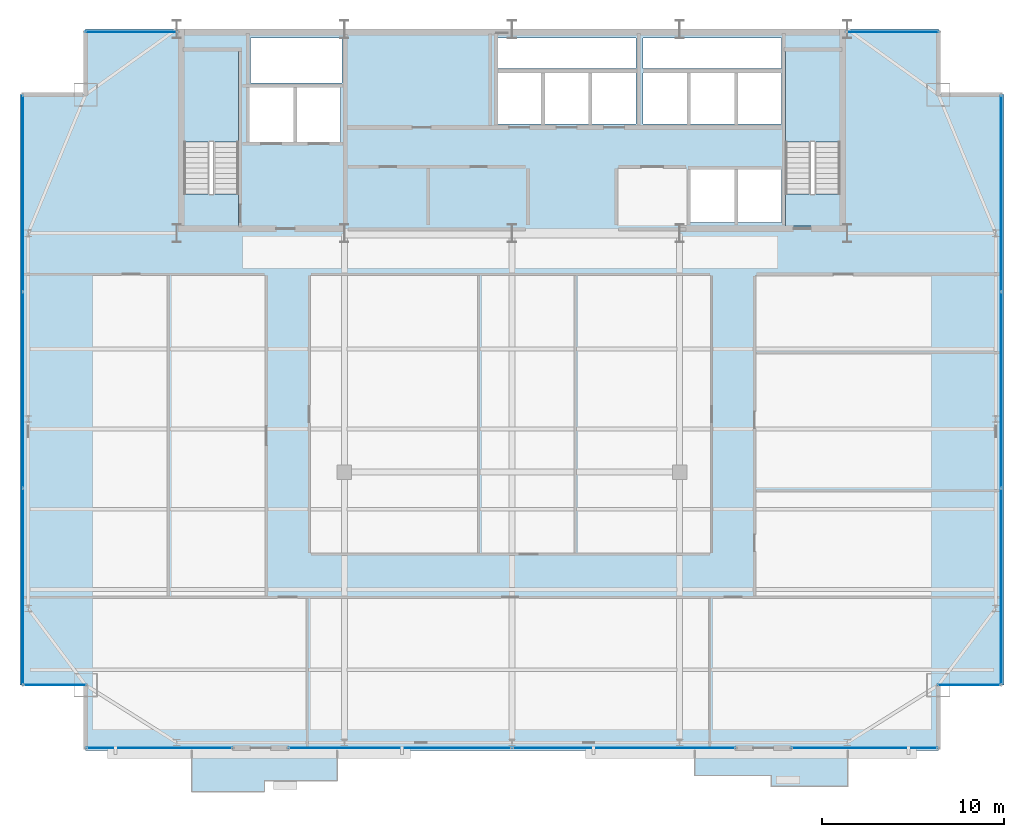
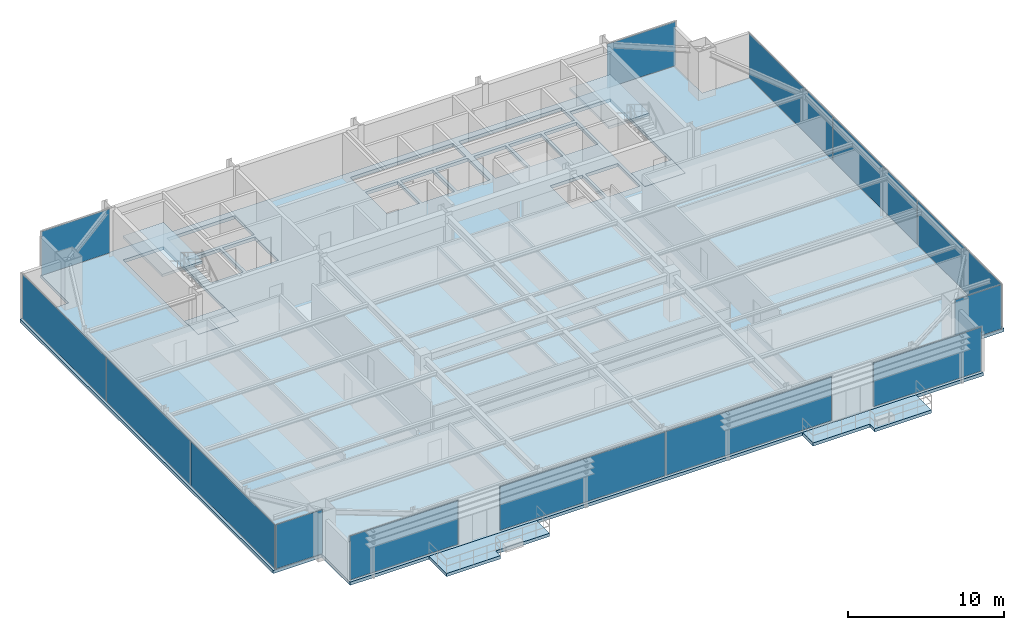
# One storey, part 24 of 31: 14 plates, 7 slabs, 11 elements without a shape of their own.
"""IFC4 building model written with IfcOpenShell, lengths in metres."""

from ifc_helpers import new_model, si_unit, direction, frame, origin, origin_2d, place, context, subcontext, project, spatial, polyline, rectangle, outline, extrude, source, transform, mapped, material, layer, layer_set, type_object, type_shapes, element, aggregate, save


model = new_model("IFC4")

# Units and contexts
model_context = context("Model", 3, precision=1e-05, world=origin(), true_north=direction((0.0, 1.0)))
body_context = subcontext(model_context, "Body", "Model", "MODEL_VIEW")
ifc_project = project(units=[si_unit("LENGTHUNIT", "METRE"), si_unit("AREAUNIT", "SQUARE_METRE"), si_unit("VOLUMEUNIT", "CUBIC_METRE"), si_unit("PLANEANGLEUNIT", "RADIAN"), si_unit("MASSUNIT", "GRAM", prefix="KILO")], contexts=[model_context])

# Site, building, storey
site_placement = place(None, origin())
site = spatial("IfcSite", under=ifc_project, at=site_placement, CompositionType="ELEMENT")
building_placement = place(site_placement, origin())
building = spatial("IfcBuilding", under=site, at=building_placement, Name="Varnel Quay Broadcast Tower", CompositionType="ELEMENT")
storey_placement = place(building_placement, frame((0.0, 0.0, 183.800048828125)))
storey = spatial("IfcBuildingStorey", under=building, at=storey_placement, Name="L45", CompositionType="ELEMENT", Elevation=183.800048828125)

# Slabs
ifc_material_1 = material(Name="Concrete CSA A23.3 C40/50", Category="concrete")
ifc_layer_1 = layer(ifc_material_1, 0.25, Name="Concrete CSA A23.3 C40/50")
ifc_layer_set_1 = layer_set([ifc_layer_1], Name="Concrete CSA A23.3 C40/50")
slab_type_1 = type_object("IfcSlabType", Name="Slab_ExtTerrace250", PredefinedType="FLOOR", material=ifc_layer_set_1)
slab_1_placement = place(storey_placement, frame((0.0, 0.0, -0.25)))
element("IfcSlab", 1, at=slab_1_placement, inside=storey, type_object=slab_type_1, Name="L45 Planted Lobe Terrace Slab 1", PredefinedType="FLOOR", context=body_context, shape_type="SweptSolid", body=[
    extrude(outline(polyline([(16.429931640625, 4.95703125), (20.4150390625, 4.95703125), (20.4150390625, 5.556884765625), (24.39990234375, 5.556884765625), (24.39990234375, 7.199951171875), (16.429931640625, 7.199951171875), (16.429931640625, 4.95703125)])), origin(), (0.0, 0.0, 1.0), 0.25),
])
slab_2_placement = place(storey_placement, frame((0.0, 0.0, -0.25)))
element("IfcSlab", 2, at=slab_2_placement, inside=storey, type_object=slab_type_1, Name="L45 Planted Lobe Terrace Slab 2", PredefinedType="FLOOR", context=body_context, shape_type="SweptSolid", body=[
    extrude(outline(polyline([(44.030029296875, 5.843017578125), (48.22998046875, 5.843017578125), (48.22998046875, 5.242919921875), (52.429931640625, 5.242919921875), (52.429931640625, 7.199951171875), (44.030029296875, 7.199951171875), (44.030029296875, 5.843017578125)])), origin(), (0.0, 0.0, 1.0), 0.25),
])
ifc_material_2 = material(Name="Concrete CSA A23.3 C50/60", Category="concrete")
ifc_layer_2 = layer(ifc_material_2, 0.25, Name="Concrete CSA A23.3 C50/60")
ifc_layer_set_2 = layer_set([ifc_layer_2], Name="Concrete CSA A23.3 C50/60")
slab_type_2 = type_object("IfcSlabType", Name="Slab_Floor250", PredefinedType="FLOOR", material=ifc_layer_set_2)
slab_3_placement = place(storey_placement, frame((0.0, 0.0, -0.25)))
element("IfcSlab", 3, at=slab_3_placement, inside=storey, type_object=slab_type_2, Name="L45 Structural Slab", PredefinedType="FLOOR", context=body_context, shape_type="SweptSolid", body=[
    extrude(outline(polyline([(10.60009765625, 7.199951171875), (57.39990234375, 7.199951171875), (57.39990234375, 10.800048828125), (61.0, 10.800048828125), (61.0, 43.199951171875), (57.39990234375, 43.199951171875), (57.39990234375, 46.800048828125), (10.60009765625, 46.800048828125), (10.60009765625, 43.199951171875), (7.0, 43.199951171875), (7.0, 10.800048828125), (10.60009765625, 10.800048828125), (10.60009765625, 7.199951171875)]), holes=[polyline([(19.0, 36.0), (16.0, 36.0), (16.0, 45.60009765625), (19.0, 45.60009765625), (19.0, 36.0)]), polyline([(19.60009765625, 43.60009765625), (22.0, 43.60009765625), (22.0, 40.60009765625), (19.60009765625, 40.60009765625), (19.60009765625, 43.60009765625)]), polyline([(22.199951171875, 43.60009765625), (24.60009765625, 43.60009765625), (24.60009765625, 40.60009765625), (22.199951171875, 40.60009765625), (22.199951171875, 43.60009765625)]), polyline([(33.199951171875, 44.39990234375), (35.60009765625, 44.39990234375), (35.60009765625, 41.60009765625), (33.199951171875, 41.60009765625), (33.199951171875, 44.39990234375)]), polyline([(35.800048828125, 44.39990234375), (38.199951171875, 44.39990234375), (38.199951171875, 41.60009765625), (35.800048828125, 41.60009765625), (35.800048828125, 44.39990234375)]), polyline([(38.39990234375, 44.39990234375), (40.800048828125, 44.39990234375), (40.800048828125, 41.60009765625), (38.39990234375, 41.60009765625), (38.39990234375, 44.39990234375)]), polyline([(19.64990234375, 46.300048828125), (24.679931640625, 46.300048828125), (24.679931640625, 43.85009765625), (19.64990234375, 43.85009765625), (19.64990234375, 46.300048828125)]), polyline([(33.199951171875, 46.300048828125), (40.800048828125, 46.300048828125), (40.800048828125, 44.64990234375), (33.199951171875, 44.64990234375), (33.199951171875, 46.300048828125)]), polyline([(43.800048828125, 39.10009765625), (46.199951171875, 39.10009765625), (46.199951171875, 36.199951171875), (43.800048828125, 36.199951171875), (43.800048828125, 39.10009765625)]), polyline([(46.39990234375, 39.10009765625), (48.800048828125, 39.10009765625), (48.800048828125, 36.199951171875), (46.39990234375, 36.199951171875), (46.39990234375, 39.10009765625)]), polyline([(49.0, 36.0), (49.0, 45.60009765625), (52.0, 45.60009765625), (52.0, 36.0), (49.0, 36.0)]), polyline([(41.199951171875, 44.39990234375), (43.60009765625, 44.39990234375), (43.60009765625, 41.60009765625), (41.199951171875, 41.60009765625), (41.199951171875, 44.39990234375)]), polyline([(43.800048828125, 44.39990234375), (46.199951171875, 44.39990234375), (46.199951171875, 41.60009765625), (43.800048828125, 41.60009765625), (43.800048828125, 44.39990234375)]), polyline([(46.39990234375, 44.39990234375), (48.800048828125, 44.39990234375), (48.800048828125, 41.60009765625), (46.39990234375, 41.60009765625), (46.39990234375, 44.39990234375)]), polyline([(41.199951171875, 46.300048828125), (48.800048828125, 46.300048828125), (48.800048828125, 44.64990234375), (41.199951171875, 44.64990234375), (41.199951171875, 46.300048828125)])]), origin(), (0.0, 0.0, 1.0), 0.25),
])
ifc_layer_3 = layer(ifc_material_2, 0.25, Name="Concrete CSA A23.3 C50/60")
ifc_layer_set_3 = layer_set([ifc_layer_3], Name="Concrete CSA A23.3 C50/60")
slab_type_3 = type_object("IfcSlabType", Name="Slab_StairFloorLanding250", PredefinedType="FLOOR", material=ifc_layer_set_3)
slab_4_placement = place(storey_placement, frame((0.0, 0.0, -0.25)))
element("IfcSlab", 4, at=slab_4_placement, inside=storey, type_object=slab_type_3, Name="L45 ST-01 Structural Floor Landing Slab", PredefinedType="FLOOR", context=body_context, shape_type="SweptSolid", body=[
    extrude(outline(polyline([(19.0, 36.0), (19.0, 37.75), (16.0, 37.75), (16.0, 36.0), (19.0, 36.0)])), origin(), (0.0, 0.0, 1.0), 0.25),
])
slab_5_placement = place(storey_placement, frame((0.0, 0.0, -0.25)))
element("IfcSlab", 5, at=slab_5_placement, inside=storey, type_object=slab_type_3, Name="L45 ST-02 Structural Floor Landing Slab", PredefinedType="FLOOR", context=body_context, shape_type="SweptSolid", body=[
    extrude(outline(polyline([(52.0, 36.0), (52.0, 37.75), (49.0, 37.75), (49.0, 36.0), (52.0, 36.0)])), origin(), (0.0, 0.0, 1.0), 0.25),
])

# Stair, slab
ifc_material_3 = material(Name="Precast Structural Concrete C40/50", Category="concrete")
stair_type_1 = type_object("IfcStairType", Name="Stair_ST-01", PredefinedType="HALF_TURN_STAIR", material=ifc_material_3)
stair_1_placement = place(storey_placement, origin())
stair_1 = element("IfcStair", 6, at=stair_1_placement, inside=storey, type_object=stair_type_1, Name="L45 West Core Exit Stair 1", PredefinedType="HALF_TURN_STAIR")
ifc_layer_4 = layer(ifc_material_3, 0.199951171875, Name="Precast Structural Concrete C40/50")
ifc_layer_set_4 = layer_set([ifc_layer_4], Name="Precast Structural Concrete C40/50")
slab_type_4 = type_object("IfcSlabType", Name="Slab_StairLanding200", PredefinedType="LANDING", material=ifc_layer_set_4)
slab_6_placement = place(storey_placement, frame((0.0, 0.0, 1.699951171875)))
slab_6 = element("IfcSlab", 7, at=slab_6_placement, type_object=slab_type_4, Name="ST-01 landing 1", PredefinedType="LANDING", context=body_context, shape_type="SweptSolid", body=[
    extrude(outline(polyline([(19.0, 40.60009765625), (19.0, 45.60009765625), (16.0, 45.60009765625), (16.0, 40.60009765625), (19.0, 40.60009765625)])), origin(), (0.0, 0.0, 1.0), 0.199951171875),
])
aggregate(stair_1, [slab_6])

stair_type_2 = type_object("IfcStairType", Name="Stair_ST-02", PredefinedType="HALF_TURN_STAIR", material=ifc_material_3)
stair_2_placement = place(storey_placement, origin())
stair_2 = element("IfcStair", 8, at=stair_2_placement, inside=storey, type_object=stair_type_2, Name="L45 East Core Exit Stair 2", PredefinedType="HALF_TURN_STAIR")
slab_7_placement = place(storey_placement, frame((0.0, 0.0, 1.699951171875)))
slab_7 = element("IfcSlab", 9, at=slab_7_placement, type_object=slab_type_4, Name="ST-02 landing 1", PredefinedType="LANDING", context=body_context, shape_type="SweptSolid", body=[
    extrude(outline(polyline([(52.0, 40.60009765625), (52.0, 45.60009765625), (49.0, 45.60009765625), (49.0, 40.60009765625), (52.0, 40.60009765625)])), origin(), (0.0, 0.0, 1.0), 0.199951171875),
])
aggregate(stair_2, [slab_7])

# Curtain wall, plate
ifc_material_4 = material(Name="Anodised Bronze Aluminium 6063-T6", Category="aluminium")
ifc_layer_5 = layer(ifc_material_4, 0.18994140625, Name="Anodised Bronze Aluminium 6063-T6")
ifc_layer_set_5 = layer_set([ifc_layer_5], Name="Anodised Bronze Aluminium 6063-T6")
curtain_wall_type_1 = type_object("IfcCurtainWallType", Name="CW_NotchCorner", PredefinedType="NOTDEFINED", material=ifc_layer_set_5)
curtain_wall_1_placement = place(storey_placement, origin())
curtain_wall_1 = element("IfcCurtainWall", 10, at=curtain_wall_1_placement, inside=storey, type_object=curtain_wall_type_1, Name="L45 SW Notch Curtain Wall", PredefinedType="NOTDEFINED")
ifc_material_5 = material(Name="Triple-Glazed Bronze Low-E Architectural Glass", Category="glass")
ifc_layer_6 = layer(ifc_material_5, 0.028076171875, Name="Triple-Glazed Bronze Low-E Architectural Glass")
ifc_layer_set_6 = layer_set([ifc_layer_6], Name="Triple-Glazed Bronze Low-E Architectural Glass")
plate_type_1 = type_object("IfcPlateType", Name="Panel_CWS-04", PredefinedType="CURTAIN_PANEL", material=ifc_layer_set_6)
shared_shape_1 = source(origin(), body_context, "Body", "SweptSolid", [
    extrude(rectangle(XDim=3.409912109375, YDim=0.028076171875, at=origin_2d()), origin(), (0.0, 0.0, 1.0), 3.43994140625),
])
type_shapes(plate_type_1, [shared_shape_1])
plate_1_placement = place(storey_placement, frame((8.9150390625, 10.800048828125, 0.054931640625), z_axis=(0.0, 0.0, 1.0), x_axis=(1.0, 0.0, 0.0)))
plate_1 = element("IfcPlate", 11, at=plate_1_placement, type_object=plate_type_1, Name="CWS-04 panel 1.1", PredefinedType="CURTAIN_PANEL", context=body_context, shape_type="MappedRepresentation", body=[
    mapped(shared_shape_1, transform((0.0, 0.0, 0.0), x_axis=(1.0, 0.0, 0.0), y_axis=(0.0, 1.0, 0.0), z_axis=(0.0, 0.0, 1.0), scale=1.0)),
])
aggregate(curtain_wall_1, [plate_1])

curtain_wall_2_placement = place(storey_placement, origin())
curtain_wall_2 = element("IfcCurtainWall", 12, at=curtain_wall_2_placement, inside=storey, type_object=curtain_wall_type_1, Name="L45 SE Notch Curtain Wall", PredefinedType="NOTDEFINED")
plate_2_placement = place(storey_placement, frame((59.0849609375, 10.800048828125, 0.054931640625), z_axis=(0.0, 0.0, 1.0), x_axis=(1.0, 0.0, 0.0)))
plate_2 = element("IfcPlate", 13, at=plate_2_placement, type_object=plate_type_1, Name="CWS-04 panel 1.1", PredefinedType="CURTAIN_PANEL", context=body_context, shape_type="MappedRepresentation", body=[
    mapped(shared_shape_1, transform((0.0, 0.0, 0.0), x_axis=(1.0, 0.0, 0.0), y_axis=(0.0, 1.0, 0.0), z_axis=(0.0, 0.0, 1.0), scale=1.0)),
])
aggregate(curtain_wall_2, [plate_2])

ifc_layer_7 = layer(ifc_material_4, 0.18994140625, Name="Anodised Bronze Aluminium 6063-T6")
ifc_layer_set_7 = layer_set([ifc_layer_7], Name="Anodised Bronze Aluminium 6063-T6")
curtain_wall_type_2 = type_object("IfcCurtainWallType", Name="CW_UpperTower", PredefinedType="NOTDEFINED", material=ifc_layer_set_7)
curtain_wall_3_placement = place(storey_placement, origin())
curtain_wall_3 = element("IfcCurtainWall", 14, at=curtain_wall_3_placement, inside=storey, type_object=curtain_wall_type_2, Name="L45 West Unitised Curtain Wall", PredefinedType="NOTDEFINED")
ifc_material_6 = material(Name="Insulated Bronze Spandrel Glass", Category="glass")
ifc_layer_8 = layer(ifc_material_6, 0.030029296875, Name="Insulated Bronze Spandrel Glass")
ifc_layer_set_8 = layer_set([ifc_layer_8], Name="Insulated Bronze Spandrel Glass")
plate_type_2 = type_object("IfcPlateType", Name="PanelSp_CWS-03", PredefinedType="CURTAIN_PANEL", material=ifc_layer_set_8)
shared_shape_2 = source(origin(), body_context, "Body", "SweptSolid", [
    extrude(rectangle(XDim=10.702392578125, YDim=0.030029296875, at=origin_2d()), origin(), (0.0, 0.0, 1.0), 3.429931640625),
])
plate_3_placement = place(storey_placement, frame((7.14990234375, 16.21630859375, 0.06005859375), z_axis=(0.0, 0.0, 1.0), x_axis=(0.0, 1.0, 0.0)))
plate_3 = element("IfcPlate", 15, at=plate_3_placement, type_object=plate_type_2, Name="CWS-03 panel 1.1", PredefinedType="CURTAIN_PANEL", context=body_context, shape_type="MappedRepresentation", body=[
    mapped(shared_shape_2, transform((0.0, 0.0, 0.0), x_axis=(1.0, 0.0, 0.0), y_axis=(0.0, 1.0, 0.0), z_axis=(0.0, 0.0, 1.0), scale=1.0)),
])

curtain_wall_4_placement = place(storey_placement, origin())
curtain_wall_4 = element("IfcCurtainWall", 16, at=curtain_wall_4_placement, inside=storey, type_object=curtain_wall_type_2, Name="L45 East Unitised Curtain Wall", PredefinedType="NOTDEFINED")
plate_4_placement = place(storey_placement, frame((60.85009765625, 16.21630859375, 0.06005859375), z_axis=(0.0, 0.0, 1.0), x_axis=(0.0, 1.0, 0.0)))
plate_4 = element("IfcPlate", 17, at=plate_4_placement, type_object=plate_type_2, Name="CWS-03 panel 1.1", PredefinedType="CURTAIN_PANEL", context=body_context, shape_type="MappedRepresentation", body=[
    mapped(shared_shape_2, transform((0.0, 0.0, 0.0), x_axis=(1.0, 0.0, 0.0), y_axis=(0.0, 1.0, 0.0), z_axis=(0.0, 0.0, 1.0), scale=1.0)),
])

# Plate
shared_shape_3 = source(origin(), body_context, "Body", "SweptSolid", [
    extrude(rectangle(XDim=10.735107421875, YDim=0.030029296875, at=origin_2d()), origin(), (0.0, 0.0, 1.0), 3.429931640625),
])
plate_5_placement = place(storey_placement, frame((7.14990234375, 27.0, 0.06005859375), z_axis=(0.0, 0.0, 1.0), x_axis=(0.0, 1.0, 0.0)))
plate_5 = element("IfcPlate", 18, at=plate_5_placement, type_object=plate_type_2, Name="CWS-03 panel 2.1", PredefinedType="CURTAIN_PANEL", context=body_context, shape_type="MappedRepresentation", body=[
    mapped(shared_shape_3, transform((0.0, 0.0, 0.0), x_axis=(1.0, 0.0, 0.0), y_axis=(0.0, 1.0, 0.0), z_axis=(0.0, 0.0, 1.0), scale=1.0)),
])

plate_6_placement = place(storey_placement, frame((60.85009765625, 27.0, 0.06005859375), z_axis=(0.0, 0.0, 1.0), x_axis=(0.0, 1.0, 0.0)))
plate_6 = element("IfcPlate", 19, at=plate_6_placement, type_object=plate_type_2, Name="CWS-03 panel 2.1", PredefinedType="CURTAIN_PANEL", context=body_context, shape_type="MappedRepresentation", body=[
    mapped(shared_shape_3, transform((0.0, 0.0, 0.0), x_axis=(1.0, 0.0, 0.0), y_axis=(0.0, 1.0, 0.0), z_axis=(0.0, 0.0, 1.0), scale=1.0)),
])

# Curtain wall, plate
curtain_wall_5_placement = place(storey_placement, origin())
curtain_wall_5 = element("IfcCurtainWall", 20, at=curtain_wall_5_placement, inside=storey, type_object=curtain_wall_type_2, Name="L45 NW Wing Curtain Wall", PredefinedType="NOTDEFINED")
ifc_layer_9 = layer(ifc_material_5, 0.030029296875, Name="Triple-Glazed Bronze Low-E Architectural Glass")
ifc_layer_set_9 = layer_set([ifc_layer_9], Name="Triple-Glazed Bronze Low-E Architectural Glass")
plate_type_3 = type_object("IfcPlateType", Name="Panel_CWS-03", PredefinedType="CURTAIN_PANEL", material=ifc_layer_set_9)
shared_shape_4 = source(origin(), body_context, "Body", "SweptSolid", [
    extrude(rectangle(XDim=5.050048828125, YDim=0.030029296875, at=origin_2d()), origin(), (0.0, 0.0, 1.0), 3.429931640625),
])
plate_7_placement = place(storey_placement, frame((13.110107421875, 46.64990234375, 0.06005859375), z_axis=(0.0, 0.0, 1.0), x_axis=(1.0, 0.0, 0.0)))
plate_7 = element("IfcPlate", 21, at=plate_7_placement, type_object=plate_type_3, Name="CWS-03 panel 1.1", PredefinedType="CURTAIN_PANEL", context=body_context, shape_type="MappedRepresentation", body=[
    mapped(shared_shape_4, transform((0.0, 0.0, 0.0), x_axis=(1.0, 0.0, 0.0), y_axis=(0.0, 1.0, 0.0), z_axis=(0.0, 0.0, 1.0), scale=1.0)),
])
aggregate(curtain_wall_5, [plate_7])

curtain_wall_6_placement = place(storey_placement, origin())
curtain_wall_6 = element("IfcCurtainWall", 22, at=curtain_wall_6_placement, inside=storey, type_object=curtain_wall_type_2, Name="L45 NE Wing Curtain Wall", PredefinedType="NOTDEFINED")
plate_8_placement = place(storey_placement, frame((54.889892578125, 46.64990234375, 0.06005859375), z_axis=(0.0, 0.0, 1.0), x_axis=(1.0, 0.0, 0.0)))
plate_8 = element("IfcPlate", 23, at=plate_8_placement, type_object=plate_type_3, Name="CWS-03 panel 1.1", PredefinedType="CURTAIN_PANEL", context=body_context, shape_type="MappedRepresentation", body=[
    mapped(shared_shape_4, transform((0.0, 0.0, 0.0), x_axis=(1.0, 0.0, 0.0), y_axis=(0.0, 1.0, 0.0), z_axis=(0.0, 0.0, 1.0), scale=1.0)),
])
aggregate(curtain_wall_6, [plate_8])

# Plate
shared_shape_5 = source(origin(), body_context, "Body", "SweptSolid", [
    extrude(rectangle(XDim=10.702392578125, YDim=0.030029296875, at=origin_2d()), origin(), (0.0, 0.0, 1.0), 3.429931640625),
])
plate_9_placement = place(storey_placement, frame((7.14990234375, 37.78369140625, 0.06005859375), z_axis=(0.0, 0.0, 1.0), x_axis=(0.0, 1.0, 0.0)))
plate_9 = element("IfcPlate", 24, at=plate_9_placement, type_object=plate_type_3, Name="CWS-03 panel 3.1", PredefinedType="CURTAIN_PANEL", context=body_context, shape_type="MappedRepresentation", body=[
    mapped(shared_shape_5, transform((0.0, 0.0, 0.0), x_axis=(1.0, 0.0, 0.0), y_axis=(0.0, 1.0, 0.0), z_axis=(0.0, 0.0, 1.0), scale=1.0)),
])

aggregate(curtain_wall_3, [plate_3, plate_5, plate_9])

plate_10_placement = place(storey_placement, frame((60.85009765625, 37.78369140625, 0.06005859375), z_axis=(0.0, 0.0, 1.0), x_axis=(0.0, 1.0, 0.0)))
plate_10 = element("IfcPlate", 25, at=plate_10_placement, type_object=plate_type_3, Name="CWS-03 panel 3.1", PredefinedType="CURTAIN_PANEL", context=body_context, shape_type="MappedRepresentation", body=[
    mapped(shared_shape_5, transform((0.0, 0.0, 0.0), x_axis=(1.0, 0.0, 0.0), y_axis=(0.0, 1.0, 0.0), z_axis=(0.0, 0.0, 1.0), scale=1.0)),
])

aggregate(curtain_wall_4, [plate_4, plate_6, plate_10])

# Curtain wall, plate
curtain_wall_7_placement = place(storey_placement, origin())
curtain_wall_7 = element("IfcCurtainWall", 26, at=curtain_wall_7_placement, inside=storey, type_object=curtain_wall_type_2, Name="L45 South Unitised Curtain Wall 1", PredefinedType="NOTDEFINED")
shared_shape_6 = source(origin(), body_context, "Body", "SweptSolid", [
    extrude(rectangle(XDim=7.989990234375, YDim=0.030029296875, at=origin_2d()), origin(), (0.0, 0.0, 1.0), 3.429931640625),
])
type_shapes(plate_type_3, [shared_shape_4, shared_shape_5, shared_shape_6])
plate_11_placement = place(storey_placement, frame((14.659912109375, 7.35009765625, 0.06005859375), z_axis=(0.0, 0.0, 1.0), x_axis=(1.0, 0.0, 0.0)))
plate_11 = element("IfcPlate", 27, at=plate_11_placement, type_object=plate_type_3, Name="CWS-03 panel 1.1", PredefinedType="CURTAIN_PANEL", context=body_context, shape_type="MappedRepresentation", body=[
    mapped(shared_shape_6, transform((0.0, 0.0, 0.0), x_axis=(1.0, 0.0, 0.0), y_axis=(0.0, 1.0, 0.0), z_axis=(0.0, 0.0, 1.0), scale=1.0)),
])
aggregate(curtain_wall_7, [plate_11])

curtain_wall_8_placement = place(storey_placement, origin())
curtain_wall_8 = element("IfcCurtainWall", 28, at=curtain_wall_8_placement, inside=storey, type_object=curtain_wall_type_2, Name="L45 South Unitised Curtain Wall 3", PredefinedType="NOTDEFINED")
plate_12_placement = place(storey_placement, frame((53.340087890625, 7.35009765625, 0.06005859375), z_axis=(0.0, 0.0, 1.0), x_axis=(1.0, 0.0, 0.0)))
plate_12 = element("IfcPlate", 29, at=plate_12_placement, type_object=plate_type_3, Name="CWS-03 panel 1.1", PredefinedType="CURTAIN_PANEL", context=body_context, shape_type="MappedRepresentation", body=[
    mapped(shared_shape_6, transform((0.0, 0.0, 0.0), x_axis=(1.0, 0.0, 0.0), y_axis=(0.0, 1.0, 0.0), z_axis=(0.0, 0.0, 1.0), scale=1.0)),
])
aggregate(curtain_wall_8, [plate_12])

# Curtain wall, plates
curtain_wall_9_placement = place(storey_placement, origin())
curtain_wall_9 = element("IfcCurtainWall", 30, at=curtain_wall_9_placement, inside=storey, type_object=curtain_wall_type_2, Name="L45 South Unitised Curtain Wall 2", PredefinedType="NOTDEFINED")
shared_shape_7 = source(origin(), body_context, "Body", "SweptSolid", [
    extrude(rectangle(XDim=12.222412109375, YDim=0.030029296875, at=origin_2d()), origin(), (0.0, 0.0, 1.0), 3.429931640625),
])
type_shapes(plate_type_2, [shared_shape_2, shared_shape_3, shared_shape_7])
plate_13_placement = place(storey_placement, frame((27.856201171875, 7.35009765625, 0.06005859375), z_axis=(0.0, 0.0, 1.0), x_axis=(1.0, 0.0, 0.0)))
plate_13 = element("IfcPlate", 31, at=plate_13_placement, type_object=plate_type_2, Name="CWS-03 panel 1.1", PredefinedType="CURTAIN_PANEL", context=body_context, shape_type="MappedRepresentation", body=[
    mapped(shared_shape_7, transform((0.0, 0.0, 0.0), x_axis=(1.0, 0.0, 0.0), y_axis=(0.0, 1.0, 0.0), z_axis=(0.0, 0.0, 1.0), scale=1.0)),
])
plate_14_placement = place(storey_placement, frame((40.143798828125, 7.35009765625, 0.06005859375), z_axis=(0.0, 0.0, 1.0), x_axis=(1.0, 0.0, 0.0)))
plate_14 = element("IfcPlate", 32, at=plate_14_placement, type_object=plate_type_2, Name="CWS-03 panel 2.1", PredefinedType="CURTAIN_PANEL", context=body_context, shape_type="MappedRepresentation", body=[
    mapped(shared_shape_7, transform((0.0, 0.0, 0.0), x_axis=(1.0, 0.0, 0.0), y_axis=(0.0, 1.0, 0.0), z_axis=(0.0, 0.0, 1.0), scale=1.0)),
])
aggregate(curtain_wall_9, [plate_13, plate_14])

save(model, "model.ifc")
